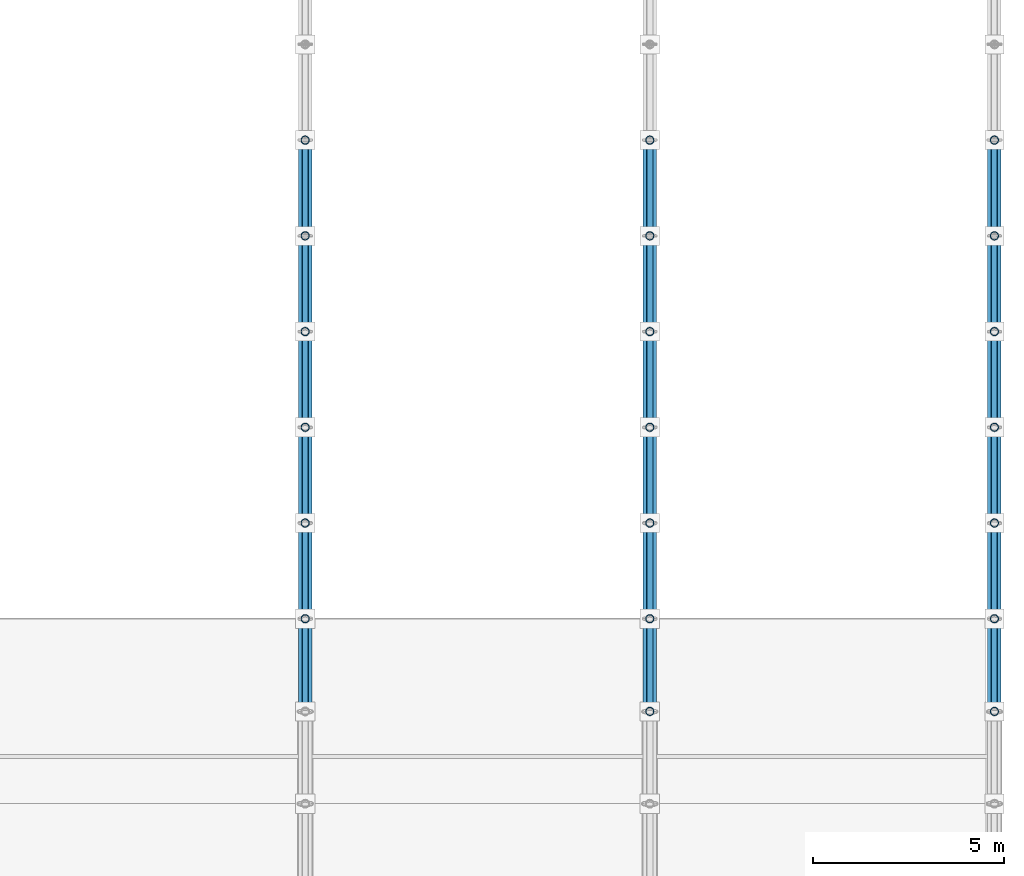
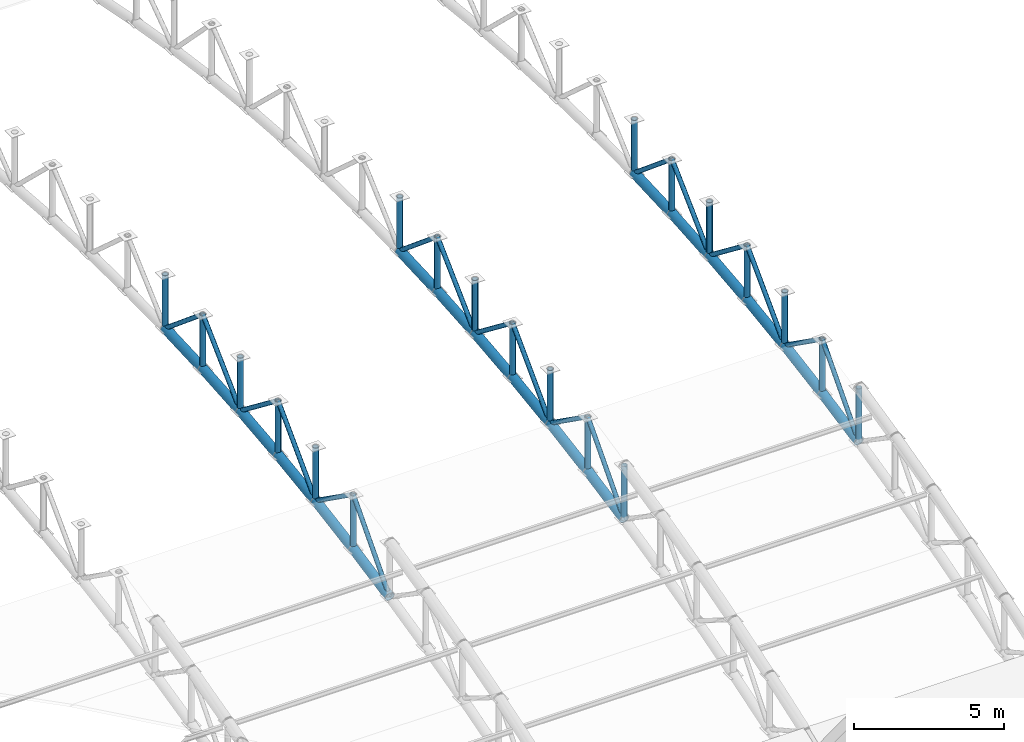
# One storey, part 76 of 195: 56 members.
"""IFC4 building model written with IfcOpenShell, lengths in metres."""

from ifc_helpers import new_model, si_unit, direction, frame, origin, origin_2d, place, context, subcontext, project, spatial, hollow_circle, extrude, material, material_profile, profile_set, type_object, element, save


model = new_model("IFC4")

# Units and contexts
model_context = context("Model", 3, precision=1e-05, world=origin(), true_north=direction((0.0, 1.0)))
body_context = subcontext(model_context, "Body", "Model", "MODEL_VIEW")
ifc_project = project(units=[si_unit("LENGTHUNIT", "METRE"), si_unit("AREAUNIT", "SQUARE_METRE"), si_unit("VOLUMEUNIT", "CUBIC_METRE"), si_unit("PLANEANGLEUNIT", "RADIAN"), si_unit("MASSUNIT", "GRAM", prefix="KILO")], contexts=[model_context])

# Site, building, storey
site_placement = place(None, origin())
site = spatial("IfcSite", under=ifc_project, at=site_placement, CompositionType="ELEMENT")
building_placement = place(site_placement, origin())
building = spatial("IfcBuilding", under=site, at=building_placement, Name="Marlcrest Central Station", CompositionType="ELEMENT")
storey_placement = place(building_placement, frame((0.0, 0.0, 9.800048828125)))
storey = spatial("IfcBuildingStorey", under=building, at=storey_placement, Name="L02", CompositionType="ELEMENT", Elevation=9.800048828125)

# Members
ifc_material = material(Name="Steel S355", Category="steel")
ifc_material_profile_1 = material_profile(ifc_material, hollow_circle(Radius=0.177734375, WallThickness=0.01611328125, at=origin_2d()), Name="CHS 355.6x16")
ifc_profile_set_1 = profile_set([ifc_material_profile_1], Name="Steel S355")
member_type_1 = type_object("IfcMemberType", Name="AC-02", PredefinedType="CHORD", material=ifc_profile_set_1)
member_1_placement = place(storey_placement, frame((198.0, 48.580078125, 2.9169921875), z_axis=(0.0, 0.980359417961, 0.197219196874), x_axis=(-1.0, 0.0, 0.0)))
element("IfcMember", 1, at=member_1_placement, inside=storey, type_object=member_type_1, Name="mem-AC-02-L02-01809", PredefinedType="CHORD", context=body_context, shape_type="SweptSolid", body=[
    extrude(hollow_circle(Radius=0.177734375, WallThickness=0.01611328125, at=origin_2d()), origin(), (0.0, 0.0, 1.0), 2.468505859375),
])
member_2_placement = place(storey_placement, frame((198.0, 51.0, 3.40380859375), z_axis=(0.0, 0.98574109921, 0.168269086076), x_axis=(-1.0, 0.0, 0.0)))
element("IfcMember", 2, at=member_2_placement, inside=storey, type_object=member_type_1, Name="mem-AC-02-L02-01813", PredefinedType="CHORD", context=body_context, shape_type="SweptSolid", body=[
    extrude(hollow_circle(Radius=0.177734375, WallThickness=0.01611328125, at=origin_2d()), origin(), (0.0, 0.0, 1.0), 2.5361328125),
])
member_3_placement = place(storey_placement, frame((198.0, 53.5, 3.83056640625), z_axis=(0.0, 0.990402740232, 0.138211476152), x_axis=(-1.0, 0.0, 0.0)))
element("IfcMember", 3, at=member_3_placement, inside=storey, type_object=member_type_1, Name="mem-AC-02-L02-01817", PredefinedType="CHORD", context=body_context, shape_type="SweptSolid", body=[
    extrude(hollow_circle(Radius=0.177734375, WallThickness=0.01611328125, at=origin_2d()), origin(), (0.0, 0.0, 1.0), 2.524169921875),
])
member_4_placement = place(storey_placement, frame((198.0, 56.0, 4.179443359375), z_axis=(0.0, 0.994155341034, 0.107959056565), x_axis=(-1.0, 0.0, 0.0)))
element("IfcMember", 4, at=member_4_placement, inside=storey, type_object=member_type_1, Name="mem-AC-02-L02-01821", PredefinedType="CHORD", context=body_context, shape_type="SweptSolid", body=[
    extrude(hollow_circle(Radius=0.177734375, WallThickness=0.01611328125, at=origin_2d()), origin(), (0.0, 0.0, 1.0), 2.5146484375),
])
member_5_placement = place(storey_placement, frame((198.0, 58.5, 4.450927734375), z_axis=(0.0, 0.997007334767, 0.077307014043), x_axis=(-1.0, 0.0, 0.0)))
element("IfcMember", 5, at=member_5_placement, inside=storey, type_object=member_type_1, Name="mem-AC-02-L02-01825", PredefinedType="CHORD", context=body_context, shape_type="SweptSolid", body=[
    extrude(hollow_circle(Radius=0.177734375, WallThickness=0.01611328125, at=origin_2d()), origin(), (0.0, 0.0, 1.0), 2.507568359375),
])
member_6_placement = place(storey_placement, frame((198.0, 61.0, 4.644775390625), z_axis=(0.0, 0.998916819647, 0.046531574509), x_axis=(-1.0, 0.0, 0.0)))
element("IfcMember", 6, at=member_6_placement, inside=storey, type_object=member_type_1, Name="mem-AC-02-L02-01829", PredefinedType="CHORD", context=body_context, shape_type="SweptSolid", body=[
    extrude(hollow_circle(Radius=0.177734375, WallThickness=0.01611328125, at=origin_2d()), origin(), (0.0, 0.0, 1.0), 2.502685546875),
])
member_7_placement = place(storey_placement, frame((207.0, 48.580078125, 2.9169921875), z_axis=(0.0, 0.980359417961, 0.197219196874), x_axis=(-1.0, 0.0, 0.0)))
element("IfcMember", 7, at=member_7_placement, inside=storey, type_object=member_type_1, Name="mem-AC-02-L02-01925", PredefinedType="CHORD", context=body_context, shape_type="SweptSolid", body=[
    extrude(hollow_circle(Radius=0.177734375, WallThickness=0.01611328125, at=origin_2d()), origin(), (0.0, 0.0, 1.0), 2.468505859375),
])
member_8_placement = place(storey_placement, frame((207.0, 51.0, 3.40380859375), z_axis=(0.0, 0.98574109921, 0.168269086076), x_axis=(-1.0, 0.0, 0.0)))
element("IfcMember", 8, at=member_8_placement, inside=storey, type_object=member_type_1, Name="mem-AC-02-L02-01929", PredefinedType="CHORD", context=body_context, shape_type="SweptSolid", body=[
    extrude(hollow_circle(Radius=0.177734375, WallThickness=0.01611328125, at=origin_2d()), origin(), (0.0, 0.0, 1.0), 2.5361328125),
])
member_9_placement = place(storey_placement, frame((207.0, 53.5, 3.83056640625), z_axis=(0.0, 0.990402740232, 0.138211476152), x_axis=(-1.0, 0.0, 0.0)))
element("IfcMember", 9, at=member_9_placement, inside=storey, type_object=member_type_1, Name="mem-AC-02-L02-01933", PredefinedType="CHORD", context=body_context, shape_type="SweptSolid", body=[
    extrude(hollow_circle(Radius=0.177734375, WallThickness=0.01611328125, at=origin_2d()), origin(), (0.0, 0.0, 1.0), 2.524169921875),
])
member_10_placement = place(storey_placement, frame((207.0, 56.0, 4.179443359375), z_axis=(0.0, 0.994155341034, 0.107959056565), x_axis=(-1.0, 0.0, 0.0)))
element("IfcMember", 10, at=member_10_placement, inside=storey, type_object=member_type_1, Name="mem-AC-02-L02-01937", PredefinedType="CHORD", context=body_context, shape_type="SweptSolid", body=[
    extrude(hollow_circle(Radius=0.177734375, WallThickness=0.01611328125, at=origin_2d()), origin(), (0.0, 0.0, 1.0), 2.5146484375),
])
member_11_placement = place(storey_placement, frame((207.0, 58.5, 4.450927734375), z_axis=(0.0, 0.997007334767, 0.077307014043), x_axis=(-1.0, 0.0, 0.0)))
element("IfcMember", 11, at=member_11_placement, inside=storey, type_object=member_type_1, Name="mem-AC-02-L02-01941", PredefinedType="CHORD", context=body_context, shape_type="SweptSolid", body=[
    extrude(hollow_circle(Radius=0.177734375, WallThickness=0.01611328125, at=origin_2d()), origin(), (0.0, 0.0, 1.0), 2.507568359375),
])
member_12_placement = place(storey_placement, frame((207.0, 61.0, 4.644775390625), z_axis=(0.0, 0.998916819647, 0.046531574509), x_axis=(-1.0, 0.0, 0.0)))
element("IfcMember", 12, at=member_12_placement, inside=storey, type_object=member_type_1, Name="mem-AC-02-L02-01945", PredefinedType="CHORD", context=body_context, shape_type="SweptSolid", body=[
    extrude(hollow_circle(Radius=0.177734375, WallThickness=0.01611328125, at=origin_2d()), origin(), (0.0, 0.0, 1.0), 2.502685546875),
])
member_13_placement = place(storey_placement, frame((216.0, 48.580078125, 2.9169921875), z_axis=(0.0, 0.980359417961, 0.197219196874), x_axis=(-1.0, 0.0, 0.0)))
element("IfcMember", 13, at=member_13_placement, inside=storey, type_object=member_type_1, Name="mem-AC-02-L02-02041", PredefinedType="CHORD", context=body_context, shape_type="SweptSolid", body=[
    extrude(hollow_circle(Radius=0.177734375, WallThickness=0.01611328125, at=origin_2d()), origin(), (0.0, 0.0, 1.0), 2.468505859375),
])
member_14_placement = place(storey_placement, frame((216.0, 51.0, 3.40380859375), z_axis=(0.0, 0.98574109921, 0.168269086076), x_axis=(-1.0, 0.0, 0.0)))
element("IfcMember", 14, at=member_14_placement, inside=storey, type_object=member_type_1, Name="mem-AC-02-L02-02045", PredefinedType="CHORD", context=body_context, shape_type="SweptSolid", body=[
    extrude(hollow_circle(Radius=0.177734375, WallThickness=0.01611328125, at=origin_2d()), origin(), (0.0, 0.0, 1.0), 2.5361328125),
])
member_15_placement = place(storey_placement, frame((216.0, 53.5, 3.83056640625), z_axis=(0.0, 0.990402740232, 0.138211476152), x_axis=(-1.0, 0.0, 0.0)))
element("IfcMember", 15, at=member_15_placement, inside=storey, type_object=member_type_1, Name="mem-AC-02-L02-02049", PredefinedType="CHORD", context=body_context, shape_type="SweptSolid", body=[
    extrude(hollow_circle(Radius=0.177734375, WallThickness=0.01611328125, at=origin_2d()), origin(), (0.0, 0.0, 1.0), 2.524169921875),
])
member_16_placement = place(storey_placement, frame((216.0, 56.0, 4.179443359375), z_axis=(0.0, 0.994155341034, 0.107959056565), x_axis=(-1.0, 0.0, 0.0)))
element("IfcMember", 16, at=member_16_placement, inside=storey, type_object=member_type_1, Name="mem-AC-02-L02-02053", PredefinedType="CHORD", context=body_context, shape_type="SweptSolid", body=[
    extrude(hollow_circle(Radius=0.177734375, WallThickness=0.01611328125, at=origin_2d()), origin(), (0.0, 0.0, 1.0), 2.5146484375),
])
member_17_placement = place(storey_placement, frame((216.0, 58.5, 4.450927734375), z_axis=(0.0, 0.997007334767, 0.077307014043), x_axis=(-1.0, 0.0, 0.0)))
element("IfcMember", 17, at=member_17_placement, inside=storey, type_object=member_type_1, Name="mem-AC-02-L02-02057", PredefinedType="CHORD", context=body_context, shape_type="SweptSolid", body=[
    extrude(hollow_circle(Radius=0.177734375, WallThickness=0.01611328125, at=origin_2d()), origin(), (0.0, 0.0, 1.0), 2.507568359375),
])
member_18_placement = place(storey_placement, frame((216.0, 61.0, 4.644775390625), z_axis=(0.0, 0.998916819647, 0.046531574509), x_axis=(-1.0, 0.0, 0.0)))
element("IfcMember", 18, at=member_18_placement, inside=storey, type_object=member_type_1, Name="mem-AC-02-L02-02061", PredefinedType="CHORD", context=body_context, shape_type="SweptSolid", body=[
    extrude(hollow_circle(Radius=0.177734375, WallThickness=0.01611328125, at=origin_2d()), origin(), (0.0, 0.0, 1.0), 2.502685546875),
])
ifc_material_profile_2 = material_profile(ifc_material, hollow_circle(Radius=0.084228515625, WallThickness=0.010009765625, at=origin_2d()), Name="CHS 168.3x10")
ifc_profile_set_2 = profile_set([ifc_material_profile_2], Name="Steel S355")
member_type_2 = type_object("IfcMemberType", Name="AD-01", PredefinedType="BRACE", material=ifc_profile_set_2)
member_19_placement = place(storey_placement, frame((198.0, 48.580078125, 2.9169921875), z_axis=(0.0, 0.669244457479, 0.743042297675), x_axis=(-1.0, 0.0, 0.0)))
element("IfcMember", 19, at=member_19_placement, inside=storey, type_object=member_type_2, Name="mem-AD-01-L02-01811", PredefinedType="BRACE", context=body_context, shape_type="SweptSolid", body=[
    extrude(hollow_circle(Radius=0.084228515625, WallThickness=0.010009765625, at=origin_2d()), origin(), (0.0, 0.0, 1.0), 3.615966796875),
])
member_20_placement = place(storey_placement, frame((198.0, 51.0, 5.603759765625), z_axis=(0.0, 0.815661132754, -0.57852996164), x_axis=(-1.0, 0.0, 0.0)))
element("IfcMember", 20, at=member_20_placement, inside=storey, type_object=member_type_2, Name="mem-AD-01-L02-01815", PredefinedType="BRACE", context=body_context, shape_type="SweptSolid", body=[
    extrude(hollow_circle(Radius=0.084228515625, WallThickness=0.010009765625, at=origin_2d()), origin(), (0.0, 0.0, 1.0), 3.06494140625),
])
member_21_placement = place(storey_placement, frame((198.0, 53.5, 3.83056640625), z_axis=(0.0, 0.70023547796, 0.713911952139), x_axis=(-1.0, 0.0, 0.0)))
element("IfcMember", 21, at=member_21_placement, inside=storey, type_object=member_type_2, Name="mem-AD-01-L02-01819", PredefinedType="BRACE", context=body_context, shape_type="SweptSolid", body=[
    extrude(hollow_circle(Radius=0.084228515625, WallThickness=0.010009765625, at=origin_2d()), origin(), (0.0, 0.0, 1.0), 3.5703125),
])
member_22_placement = place(storey_placement, frame((198.0, 56.0, 6.37939453125), z_axis=(0.0, 0.791798282026, -0.610782678684), x_axis=(-1.0, 0.0, 0.0)))
element("IfcMember", 22, at=member_22_placement, inside=storey, type_object=member_type_2, Name="mem-AD-01-L02-01823", PredefinedType="BRACE", context=body_context, shape_type="SweptSolid", body=[
    extrude(hollow_circle(Radius=0.084228515625, WallThickness=0.010009765625, at=origin_2d()), origin(), (0.0, 0.0, 1.0), 3.157470703125),
])
member_23_placement = place(storey_placement, frame((198.0, 58.5, 4.450927734375), z_axis=(0.0, 0.722246537655, 0.691635698071), x_axis=(-1.0, 0.0, 0.0)))
element("IfcMember", 23, at=member_23_placement, inside=storey, type_object=member_type_2, Name="mem-AD-01-L02-01827", PredefinedType="BRACE", context=body_context, shape_type="SweptSolid", body=[
    extrude(hollow_circle(Radius=0.084228515625, WallThickness=0.010009765625, at=origin_2d()), origin(), (0.0, 0.0, 1.0), 3.46142578125),
])
member_24_placement = place(storey_placement, frame((198.0, 61.0, 6.844970703125), z_axis=(0.0, 0.768159787854, -0.640258182552), x_axis=(-1.0, 0.0, 0.0)))
element("IfcMember", 24, at=member_24_placement, inside=storey, type_object=member_type_2, Name="mem-AD-01-L02-01831", PredefinedType="BRACE", context=body_context, shape_type="SweptSolid", body=[
    extrude(hollow_circle(Radius=0.084228515625, WallThickness=0.010009765625, at=origin_2d()), origin(), (0.0, 0.0, 1.0), 3.254638671875),
])
member_25_placement = place(storey_placement, frame((207.0, 48.580078125, 2.9169921875), z_axis=(0.0, 0.669244457479, 0.743042297675), x_axis=(-1.0, 0.0, 0.0)))
element("IfcMember", 25, at=member_25_placement, inside=storey, type_object=member_type_2, Name="mem-AD-01-L02-01927", PredefinedType="BRACE", context=body_context, shape_type="SweptSolid", body=[
    extrude(hollow_circle(Radius=0.084228515625, WallThickness=0.010009765625, at=origin_2d()), origin(), (0.0, 0.0, 1.0), 3.615966796875),
])
member_26_placement = place(storey_placement, frame((207.0, 51.0, 5.603759765625), z_axis=(0.0, 0.815661132754, -0.57852996164), x_axis=(-1.0, 0.0, 0.0)))
element("IfcMember", 26, at=member_26_placement, inside=storey, type_object=member_type_2, Name="mem-AD-01-L02-01931", PredefinedType="BRACE", context=body_context, shape_type="SweptSolid", body=[
    extrude(hollow_circle(Radius=0.084228515625, WallThickness=0.010009765625, at=origin_2d()), origin(), (0.0, 0.0, 1.0), 3.06494140625),
])
member_27_placement = place(storey_placement, frame((207.0, 53.5, 3.83056640625), z_axis=(0.0, 0.70023547796, 0.713911952139), x_axis=(-1.0, 0.0, 0.0)))
element("IfcMember", 27, at=member_27_placement, inside=storey, type_object=member_type_2, Name="mem-AD-01-L02-01935", PredefinedType="BRACE", context=body_context, shape_type="SweptSolid", body=[
    extrude(hollow_circle(Radius=0.084228515625, WallThickness=0.010009765625, at=origin_2d()), origin(), (0.0, 0.0, 1.0), 3.5703125),
])
member_28_placement = place(storey_placement, frame((207.0, 56.0, 6.37939453125), z_axis=(0.0, 0.791798282026, -0.610782678684), x_axis=(-1.0, 0.0, 0.0)))
element("IfcMember", 28, at=member_28_placement, inside=storey, type_object=member_type_2, Name="mem-AD-01-L02-01939", PredefinedType="BRACE", context=body_context, shape_type="SweptSolid", body=[
    extrude(hollow_circle(Radius=0.084228515625, WallThickness=0.010009765625, at=origin_2d()), origin(), (0.0, 0.0, 1.0), 3.157470703125),
])
member_29_placement = place(storey_placement, frame((207.0, 58.5, 4.450927734375), z_axis=(0.0, 0.722246537655, 0.691635698071), x_axis=(-1.0, 0.0, 0.0)))
element("IfcMember", 29, at=member_29_placement, inside=storey, type_object=member_type_2, Name="mem-AD-01-L02-01943", PredefinedType="BRACE", context=body_context, shape_type="SweptSolid", body=[
    extrude(hollow_circle(Radius=0.084228515625, WallThickness=0.010009765625, at=origin_2d()), origin(), (0.0, 0.0, 1.0), 3.46142578125),
])
member_30_placement = place(storey_placement, frame((207.0, 61.0, 6.844970703125), z_axis=(0.0, 0.768159787854, -0.640258182552), x_axis=(-1.0, 0.0, 0.0)))
element("IfcMember", 30, at=member_30_placement, inside=storey, type_object=member_type_2, Name="mem-AD-01-L02-01947", PredefinedType="BRACE", context=body_context, shape_type="SweptSolid", body=[
    extrude(hollow_circle(Radius=0.084228515625, WallThickness=0.010009765625, at=origin_2d()), origin(), (0.0, 0.0, 1.0), 3.254638671875),
])
member_31_placement = place(storey_placement, frame((216.0, 48.580078125, 2.9169921875), z_axis=(0.0, 0.669244457479, 0.743042297675), x_axis=(-1.0, 0.0, 0.0)))
element("IfcMember", 31, at=member_31_placement, inside=storey, type_object=member_type_2, Name="mem-AD-01-L02-02043", PredefinedType="BRACE", context=body_context, shape_type="SweptSolid", body=[
    extrude(hollow_circle(Radius=0.084228515625, WallThickness=0.010009765625, at=origin_2d()), origin(), (0.0, 0.0, 1.0), 3.615966796875),
])
member_32_placement = place(storey_placement, frame((216.0, 51.0, 5.603759765625), z_axis=(0.0, 0.815661132754, -0.57852996164), x_axis=(-1.0, 0.0, 0.0)))
element("IfcMember", 32, at=member_32_placement, inside=storey, type_object=member_type_2, Name="mem-AD-01-L02-02047", PredefinedType="BRACE", context=body_context, shape_type="SweptSolid", body=[
    extrude(hollow_circle(Radius=0.084228515625, WallThickness=0.010009765625, at=origin_2d()), origin(), (0.0, 0.0, 1.0), 3.06494140625),
])
member_33_placement = place(storey_placement, frame((216.0, 53.5, 3.83056640625), z_axis=(0.0, 0.70023547796, 0.713911952139), x_axis=(-1.0, 0.0, 0.0)))
element("IfcMember", 33, at=member_33_placement, inside=storey, type_object=member_type_2, Name="mem-AD-01-L02-02051", PredefinedType="BRACE", context=body_context, shape_type="SweptSolid", body=[
    extrude(hollow_circle(Radius=0.084228515625, WallThickness=0.010009765625, at=origin_2d()), origin(), (0.0, 0.0, 1.0), 3.5703125),
])
member_34_placement = place(storey_placement, frame((216.0, 56.0, 6.37939453125), z_axis=(0.0, 0.791798282026, -0.610782678684), x_axis=(-1.0, 0.0, 0.0)))
element("IfcMember", 34, at=member_34_placement, inside=storey, type_object=member_type_2, Name="mem-AD-01-L02-02055", PredefinedType="BRACE", context=body_context, shape_type="SweptSolid", body=[
    extrude(hollow_circle(Radius=0.084228515625, WallThickness=0.010009765625, at=origin_2d()), origin(), (0.0, 0.0, 1.0), 3.157470703125),
])
member_35_placement = place(storey_placement, frame((216.0, 58.5, 4.450927734375), z_axis=(0.0, 0.722246537655, 0.691635698071), x_axis=(-1.0, 0.0, 0.0)))
element("IfcMember", 35, at=member_35_placement, inside=storey, type_object=member_type_2, Name="mem-AD-01-L02-02059", PredefinedType="BRACE", context=body_context, shape_type="SweptSolid", body=[
    extrude(hollow_circle(Radius=0.084228515625, WallThickness=0.010009765625, at=origin_2d()), origin(), (0.0, 0.0, 1.0), 3.46142578125),
])
member_36_placement = place(storey_placement, frame((216.0, 61.0, 6.844970703125), z_axis=(0.0, 0.768159787854, -0.640258182552), x_axis=(-1.0, 0.0, 0.0)))
element("IfcMember", 36, at=member_36_placement, inside=storey, type_object=member_type_2, Name="mem-AD-01-L02-02063", PredefinedType="BRACE", context=body_context, shape_type="SweptSolid", body=[
    extrude(hollow_circle(Radius=0.084228515625, WallThickness=0.010009765625, at=origin_2d()), origin(), (0.0, 0.0, 1.0), 3.254638671875),
])
ifc_material_profile_3 = material_profile(ifc_material, hollow_circle(Radius=0.109619140625, WallThickness=0.012451171875, at=origin_2d()), Name="CHS 219.1x12.5")
ifc_profile_set_3 = profile_set([ifc_material_profile_3], Name="Steel S355")
member_type_3 = type_object("IfcMemberType", Name="AP-01", PredefinedType="POST", material=ifc_profile_set_3)
for number, where, z_axis, x_axis, name in (
    (37, (198.0, 51.0, 3.40380859375), (0.0, 0.0, 1.0), (1.0, 0.0, 0.0), "mem-AP-01-L02-01814"),
    (38, (198.0, 53.5, 3.83056640625), (0.0, 0.0, 1.0), (1.0, 0.0, 0.0), "mem-AP-01-L02-01818"),
    (39, (198.0, 56.0, 4.179443359375), (0.0, 0.0, 1.0), (1.0, 0.0, 0.0), "mem-AP-01-L02-01822"),
    (40, (198.0, 58.5, 4.450927734375), (0.0, 0.0, 1.0), (1.0, 0.0, 0.0), "mem-AP-01-L02-01826"),
):
    element("IfcMember", number, at=place(storey_placement, frame(where, z_axis=z_axis, x_axis=x_axis)), inside=storey, type_object=member_type_3, Name=name, PredefinedType="POST", context=body_context, shape_type="SweptSolid", body=[
        extrude(hollow_circle(Radius=0.109619140625, WallThickness=0.012451171875, at=origin_2d()), origin(), (0.0, 0.0, 1.0), 2.199951171875),
    ])
member_37_placement = place(storey_placement, frame((198.0, 61.0, 4.644775390625), z_axis=(0.0, 0.0, 1.0), x_axis=(1.0, 0.0, 0.0)))
element("IfcMember", 41, at=member_37_placement, inside=storey, type_object=member_type_3, Name="mem-AP-01-L02-01830", PredefinedType="POST", context=body_context, shape_type="SweptSolid", body=[
    extrude(hollow_circle(Radius=0.109619140625, WallThickness=0.012451171875, at=origin_2d()), origin(), (0.0, 0.0, 1.0), 2.2001953125),
])
for number, where, z_axis, x_axis, name in (
    (42, (198.0, 63.5, 4.76123046875), (0.0, 0.0, 1.0), (1.0, 0.0, 0.0), "mem-AP-01-L02-01834"),
    (43, (207.0, 48.580078125, 2.9169921875), (0.0, 0.0, 1.0), (1.0, 0.0, 0.0), "mem-AP-01-L02-01926"),
    (44, (207.0, 51.0, 3.40380859375), (0.0, 0.0, 1.0), (1.0, 0.0, 0.0), "mem-AP-01-L02-01930"),
    (45, (207.0, 53.5, 3.83056640625), (0.0, 0.0, 1.0), (1.0, 0.0, 0.0), "mem-AP-01-L02-01934"),
    (46, (207.0, 56.0, 4.179443359375), (0.0, 0.0, 1.0), (1.0, 0.0, 0.0), "mem-AP-01-L02-01938"),
    (47, (207.0, 58.5, 4.450927734375), (0.0, 0.0, 1.0), (1.0, 0.0, 0.0), "mem-AP-01-L02-01942"),
):
    element("IfcMember", number, at=place(storey_placement, frame(where, z_axis=z_axis, x_axis=x_axis)), inside=storey, type_object=member_type_3, Name=name, PredefinedType="POST", context=body_context, shape_type="SweptSolid", body=[
        extrude(hollow_circle(Radius=0.109619140625, WallThickness=0.012451171875, at=origin_2d()), origin(), (0.0, 0.0, 1.0), 2.199951171875),
    ])
member_38_placement = place(storey_placement, frame((207.0, 61.0, 4.644775390625), z_axis=(0.0, 0.0, 1.0), x_axis=(1.0, 0.0, 0.0)))
element("IfcMember", 48, at=member_38_placement, inside=storey, type_object=member_type_3, Name="mem-AP-01-L02-01946", PredefinedType="POST", context=body_context, shape_type="SweptSolid", body=[
    extrude(hollow_circle(Radius=0.109619140625, WallThickness=0.012451171875, at=origin_2d()), origin(), (0.0, 0.0, 1.0), 2.2001953125),
])
for number, where, z_axis, x_axis, name in (
    (49, (207.0, 63.5, 4.76123046875), (0.0, 0.0, 1.0), (1.0, 0.0, 0.0), "mem-AP-01-L02-01950"),
    (50, (216.0, 48.580078125, 2.9169921875), (0.0, 0.0, 1.0), (1.0, 0.0, 0.0), "mem-AP-01-L02-02042"),
    (51, (216.0, 51.0, 3.40380859375), (0.0, 0.0, 1.0), (1.0, 0.0, 0.0), "mem-AP-01-L02-02046"),
    (52, (216.0, 53.5, 3.83056640625), (0.0, 0.0, 1.0), (1.0, 0.0, 0.0), "mem-AP-01-L02-02050"),
    (53, (216.0, 56.0, 4.179443359375), (0.0, 0.0, 1.0), (1.0, 0.0, 0.0), "mem-AP-01-L02-02054"),
    (54, (216.0, 58.5, 4.450927734375), (0.0, 0.0, 1.0), (1.0, 0.0, 0.0), "mem-AP-01-L02-02058"),
):
    element("IfcMember", number, at=place(storey_placement, frame(where, z_axis=z_axis, x_axis=x_axis)), inside=storey, type_object=member_type_3, Name=name, PredefinedType="POST", context=body_context, shape_type="SweptSolid", body=[
        extrude(hollow_circle(Radius=0.109619140625, WallThickness=0.012451171875, at=origin_2d()), origin(), (0.0, 0.0, 1.0), 2.199951171875),
    ])
member_39_placement = place(storey_placement, frame((216.0, 61.0, 4.644775390625), z_axis=(0.0, 0.0, 1.0), x_axis=(1.0, 0.0, 0.0)))
element("IfcMember", 55, at=member_39_placement, inside=storey, type_object=member_type_3, Name="mem-AP-01-L02-02062", PredefinedType="POST", context=body_context, shape_type="SweptSolid", body=[
    extrude(hollow_circle(Radius=0.109619140625, WallThickness=0.012451171875, at=origin_2d()), origin(), (0.0, 0.0, 1.0), 2.2001953125),
])
member_40_placement = place(storey_placement, frame((216.0, 63.5, 4.76123046875), z_axis=(0.0, 0.0, 1.0), x_axis=(1.0, 0.0, 0.0)))
element("IfcMember", 56, at=member_40_placement, inside=storey, type_object=member_type_3, Name="mem-AP-01-L02-02066", PredefinedType="POST", context=body_context, shape_type="SweptSolid", body=[
    extrude(hollow_circle(Radius=0.109619140625, WallThickness=0.012451171875, at=origin_2d()), origin(), (0.0, 0.0, 1.0), 2.199951171875),
])

save(model, "model.ifc")
